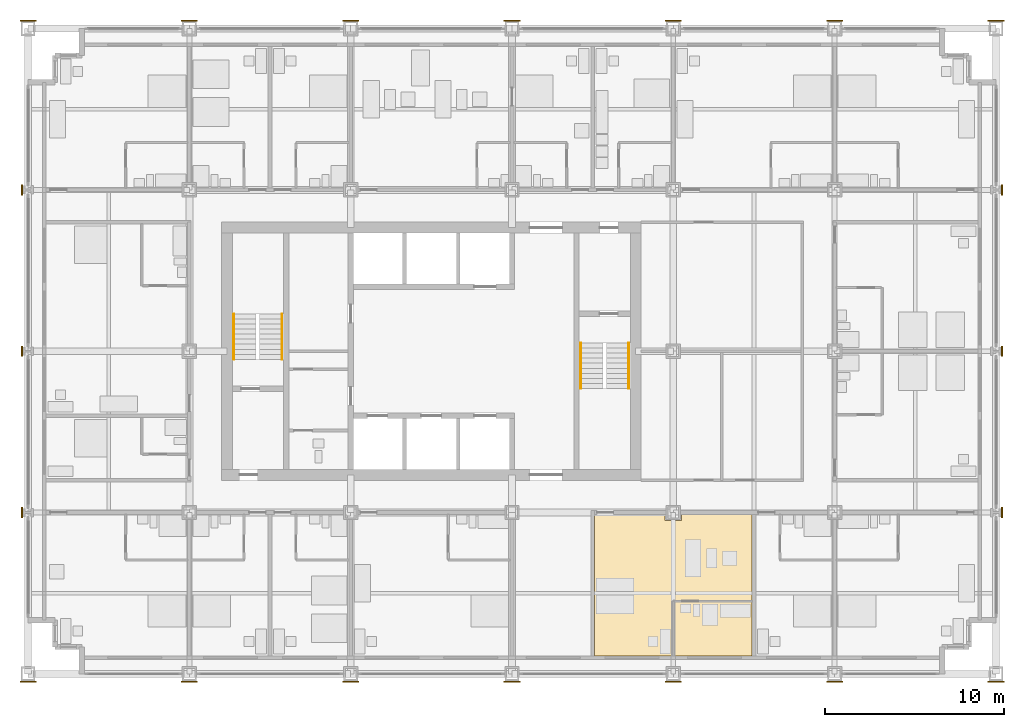
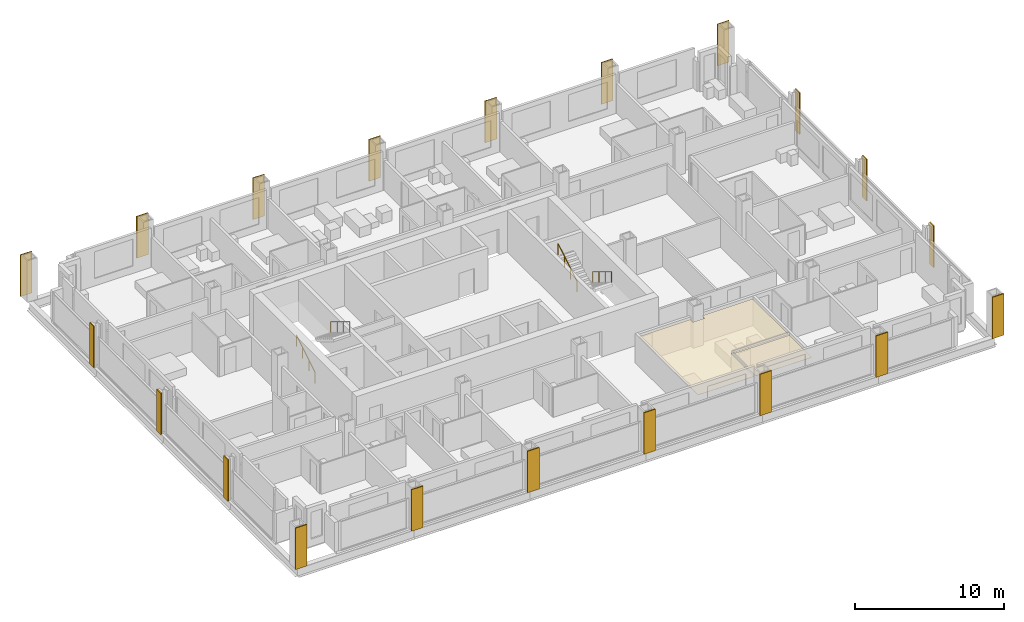
# One storey, part 16 of 18: 22 coverings, 4 railings.
"""IFC4 building model written with IfcOpenShell, lengths in metres."""

from ifc_helpers import new_model, si_unit, direction, frame, origin, origin_2d, place, context, subcontext, project, spatial, polyline, rectangle, circle, outline, extrude, material, layer, layer_set, type_object, element, save


model = new_model("IFC4")

# Units and contexts
model_context = context("Model", 3, precision=1e-05, world=origin(), true_north=direction((0.0, 1.0)))
body_context = subcontext(model_context, "Body", "Model", "MODEL_VIEW")
ifc_project = project(units=[si_unit("LENGTHUNIT", "METRE"), si_unit("AREAUNIT", "SQUARE_METRE"), si_unit("VOLUMEUNIT", "CUBIC_METRE"), si_unit("PLANEANGLEUNIT", "RADIAN"), si_unit("MASSUNIT", "GRAM", prefix="KILO")], contexts=[model_context])

# Site, building, storey
site_placement = place(None, origin())
site = spatial("IfcSite", under=ifc_project, at=site_placement, CompositionType="ELEMENT")
building_placement = place(site_placement, origin())
building = spatial("IfcBuilding", under=site, at=building_placement, Name="Loomwork Tower", CompositionType="ELEMENT")
storey_placement = place(building_placement, frame((0.0, 0.0, 38.199951171875)))
storey = spatial("IfcBuildingStorey", under=building, at=storey_placement, Name="L08", CompositionType="ELEMENT", Elevation=38.199951171875)

# Railings
ifc_material_1 = material(Name="Stainless steel handrail", Category="steel")
railing_type = type_object("IfcRailingType", Name="Handrail 900", PredefinedType="HANDRAIL", material=ifc_material_1)
railing_1_placement = place(storey_placement, frame((11.485107421875, 17.550048828125, 0.170166015625)))
element("IfcRailing", 1, at=railing_1_placement, inside=storey, type_object=railing_type, Name="Stair A handrail flight 1 L08", PredefinedType="HANDRAIL", context=body_context, shape_type="SweptSolid", body=[
    extrude(circle(Radius=0.02392578125, at=origin_2d()), frame((0.0, 0.0, 0.8759765625), z_axis=(0.0, 0.854821627497, 0.518921945155), x_axis=(-1.0, 0.0, 0.0)), (0.0, 0.0, 1.0), 2.947998046875),
    extrude(circle(Radius=0.02099609375, at=origin_2d()), origin(), (0.0, 0.0, 1.0), 0.851806640625),
    extrude(circle(Radius=0.02099609375, at=origin_2d()), frame((0.0, 0.840087890625, 0.510009765625)), (0.0, 0.0, 1.0), 0.851806640625),
    extrude(circle(Radius=0.02099609375, at=origin_2d()), frame((0.0, 1.679931640625, 1.019775390625)), (0.0, 0.0, 1.0), 0.851806640625),
    extrude(circle(Radius=0.02099609375, at=origin_2d()), frame((0.0, 2.52001953125, 1.52978515625)), (0.0, 0.0, 1.0), 0.851806640625),
])
railing_2_placement = place(storey_placement, frame((14.1650390625, 20.070068359375, 1.8701171875)))
element("IfcRailing", 2, at=railing_2_placement, inside=storey, type_object=railing_type, Name="Stair A handrail flight 2 L08", PredefinedType="HANDRAIL", context=body_context, shape_type="SweptSolid", body=[
    extrude(circle(Radius=0.02392578125, at=origin_2d()), frame((0.0, 0.0, 0.8759765625), z_axis=(0.0, -0.85478489116, 0.518982456201), x_axis=(1.0, 0.0, 0.0)), (0.0, 0.0, 1.0), 2.9482421875),
    extrude(circle(Radius=0.02099609375, at=origin_2d()), origin(), (0.0, 0.0, 1.0), 0.851806640625),
    extrude(circle(Radius=0.02099609375, at=origin_2d()), frame((0.0, -0.840087890625, 0.510009765625)), (0.0, 0.0, 1.0), 0.851806640625),
    extrude(circle(Radius=0.02099609375, at=origin_2d()), frame((0.0, -1.679931640625, 1.02001953125)), (0.0, 0.0, 1.0), 0.851806640625),
    extrude(circle(Radius=0.02099609375, at=origin_2d()), frame((0.0, -2.52001953125, 1.530029296875)), (0.0, 0.0, 1.0), 0.851806640625),
])
railing_3_placement = place(storey_placement, frame((33.514892578125, 18.449951171875, 0.170166015625)))
element("IfcRailing", 3, at=railing_3_placement, inside=storey, type_object=railing_type, Name="Stair B handrail flight 1 L08", PredefinedType="HANDRAIL", context=body_context, shape_type="SweptSolid", body=[
    extrude(circle(Radius=0.02392578125, at=origin_2d()), frame((0.0, 0.0, 0.8759765625), z_axis=(0.0, -0.854821627497, 0.518921945155), x_axis=(1.0, 0.0, 0.0)), (0.0, 0.0, 1.0), 2.947998046875),
    extrude(circle(Radius=0.02099609375, at=origin_2d()), origin(), (0.0, 0.0, 1.0), 0.851806640625),
    extrude(circle(Radius=0.02099609375, at=origin_2d()), frame((0.0, -0.840087890625, 0.510009765625)), (0.0, 0.0, 1.0), 0.851806640625),
    extrude(circle(Radius=0.02099609375, at=origin_2d()), frame((0.0, -1.679931640625, 1.019775390625)), (0.0, 0.0, 1.0), 0.851806640625),
    extrude(circle(Radius=0.02099609375, at=origin_2d()), frame((0.0, -2.52001953125, 1.52978515625)), (0.0, 0.0, 1.0), 0.851806640625),
])
railing_4_placement = place(storey_placement, frame((30.8349609375, 15.929931640625, 1.8701171875)))
element("IfcRailing", 4, at=railing_4_placement, inside=storey, type_object=railing_type, Name="Stair B handrail flight 2 L08", PredefinedType="HANDRAIL", context=body_context, shape_type="SweptSolid", body=[
    extrude(circle(Radius=0.02392578125, at=origin_2d()), frame((0.0, 0.0, 0.8759765625), z_axis=(0.0, 0.85478489116, 0.518982456201), x_axis=(-1.0, 0.0, 0.0)), (0.0, 0.0, 1.0), 2.9482421875),
    extrude(circle(Radius=0.02099609375, at=origin_2d()), origin(), (0.0, 0.0, 1.0), 0.851806640625),
    extrude(circle(Radius=0.02099609375, at=origin_2d()), frame((0.0, 0.840087890625, 0.510009765625)), (0.0, 0.0, 1.0), 0.851806640625),
    extrude(circle(Radius=0.02099609375, at=origin_2d()), frame((0.0, 1.679931640625, 1.02001953125)), (0.0, 0.0, 1.0), 0.851806640625),
    extrude(circle(Radius=0.02099609375, at=origin_2d()), frame((0.0, 2.52001953125, 1.530029296875)), (0.0, 0.0, 1.0), 0.851806640625),
])

# Coverings
ifc_material_2 = material(Name="Limestone", Category="masonry")
ifc_layer_1 = layer(ifc_material_2, 0.080078125)
ifc_layer_set_1 = layer_set([ifc_layer_1], Name="Limestone pier facing 80")
covering_type_1 = type_object("IfcCoveringType", Name="Limestone pier facing 80", PredefinedType="CLADDING", material=ifc_layer_set_1)
covering_1_placement = place(storey_placement, frame((0.0, -0.43994140625, 0.0), z_axis=(0.0, 0.0, 1.0), x_axis=(1.0, 0.0, 0.0)))
element("IfcCovering", 5, at=covering_1_placement, inside=storey, type_object=covering_type_1, Name="Pier facing D/2 L08", PredefinedType="CLADDING", context=body_context, shape_type="SweptSolid", body=[
    extrude(rectangle(XDim=0.89990234375, YDim=0.080078125, at=origin_2d()), origin(), (0.0, 0.0, 1.0), 3.39990234375),
])
for number, where, z_axis, x_axis, name in (
    (6, (-0.339599609375, 9.0, 0.0), (0.0, 0.0, 1.0), (1.0, 0.0, 0.0), "Pier facing E/2 L08"),
    (7, (-0.339599609375, 18.0, 0.0), (0.0, 0.0, 1.0), (1.0, 0.0, 0.0), "Pier facing F/2 L08"),
    (8, (-0.339599609375, 27.0, 0.0), (0.0, 0.0, 1.0), (1.0, 0.0, 0.0), "Pier facing G/2 L08"),
):
    element("IfcCovering", number, at=place(storey_placement, frame(where, z_axis=z_axis, x_axis=x_axis)), inside=storey, type_object=covering_type_1, Name=name, PredefinedType="CLADDING", context=body_context, shape_type="SweptSolid", body=[
        extrude(rectangle(XDim=0.080078125, YDim=0.577392578125, at=origin_2d()), origin(), (0.0, 0.0, 1.0), 3.39990234375),
    ])
for number, where, z_axis, x_axis, name in (
    (9, (0.0, 36.43994140625, 0.0), (0.0, 0.0, 1.0), (1.0, 0.0, 0.0), "Pier facing H/2 L08"),
    (10, (9.0, -0.43994140625, 0.0), (0.0, 0.0, 1.0), (1.0, 0.0, 0.0), "Pier facing D/3 L08"),
    (11, (9.0, 36.43994140625, 0.0), (0.0, 0.0, 1.0), (1.0, 0.0, 0.0), "Pier facing H/3 L08"),
    (12, (18.0, -0.43994140625, 0.0), (0.0, 0.0, 1.0), (1.0, 0.0, 0.0), "Pier facing D/4 L08"),
    (13, (18.0, 36.43994140625, 0.0), (0.0, 0.0, 1.0), (1.0, 0.0, 0.0), "Pier facing H/4 L08"),
    (14, (27.0, -0.43994140625, 0.0), (0.0, 0.0, 1.0), (1.0, 0.0, 0.0), "Pier facing D/5 L08"),
    (15, (27.0, 36.43994140625, 0.0), (0.0, 0.0, 1.0), (1.0, 0.0, 0.0), "Pier facing H/5 L08"),
    (16, (36.0, -0.43994140625, 0.0), (0.0, 0.0, 1.0), (1.0, 0.0, 0.0), "Pier facing D/6 L08"),
    (17, (36.0, 36.43994140625, 0.0), (0.0, 0.0, 1.0), (1.0, 0.0, 0.0), "Pier facing H/6 L08"),
    (18, (45.0, -0.43994140625, 0.0), (0.0, 0.0, 1.0), (1.0, 0.0, 0.0), "Pier facing D/7 L08"),
    (19, (45.0, 36.43994140625, 0.0), (0.0, 0.0, 1.0), (1.0, 0.0, 0.0), "Pier facing H/7 L08"),
    (20, (54.0, -0.43994140625, 0.0), (0.0, 0.0, 1.0), (1.0, 0.0, 0.0), "Pier facing D/8 L08"),
):
    element("IfcCovering", number, at=place(storey_placement, frame(where, z_axis=z_axis, x_axis=x_axis)), inside=storey, type_object=covering_type_1, Name=name, PredefinedType="CLADDING", context=body_context, shape_type="SweptSolid", body=[
        extrude(rectangle(XDim=0.89990234375, YDim=0.080078125, at=origin_2d()), origin(), (0.0, 0.0, 1.0), 3.39990234375),
    ])
for number, where, z_axis, x_axis, name in (
    (21, (54.339599609375, 9.0, 0.0), (0.0, 0.0, 1.0), (1.0, 0.0, 0.0), "Pier facing E/8 L08"),
    (22, (54.339599609375, 18.0, 0.0), (0.0, 0.0, 1.0), (1.0, 0.0, 0.0), "Pier facing F/8 L08"),
    (23, (54.339599609375, 27.0, 0.0), (0.0, 0.0, 1.0), (1.0, 0.0, 0.0), "Pier facing G/8 L08"),
):
    element("IfcCovering", number, at=place(storey_placement, frame(where, z_axis=z_axis, x_axis=x_axis)), inside=storey, type_object=covering_type_1, Name=name, PredefinedType="CLADDING", context=body_context, shape_type="SweptSolid", body=[
        extrude(rectangle(XDim=0.080078125, YDim=0.577392578125, at=origin_2d()), origin(), (0.0, 0.0, 1.0), 3.39990234375),
    ])
covering_2_placement = place(storey_placement, frame((54.0, 36.43994140625, 0.0), z_axis=(0.0, 0.0, 1.0), x_axis=(1.0, 0.0, 0.0)))
element("IfcCovering", 24, at=covering_2_placement, inside=storey, type_object=covering_type_1, Name="Pier facing H/8 L08", PredefinedType="CLADDING", context=body_context, shape_type="SweptSolid", body=[
    extrude(rectangle(XDim=0.89990234375, YDim=0.080078125, at=origin_2d()), origin(), (0.0, 0.0, 1.0), 3.39990234375),
])
ifc_material_3 = material(Name="Mineral fibre acoustic tile on suspension grid")
ifc_layer_2 = layer(ifc_material_3, 0.02490234375)
ifc_layer_set_2 = layer_set([ifc_layer_2], Name="Suspended acoustic ceiling")
covering_type_2 = type_object("IfcCoveringType", Name="Suspended acoustic ceiling", PredefinedType="CEILING", material=ifc_layer_set_2)
covering_3_placement = place(storey_placement, frame((0.0, 0.0, 2.175048828125)))
element("IfcCovering", 25, at=covering_3_placement, inside=storey, type_object=covering_type_2, Name="Ceiling Spa bathroom L08", PredefinedType="CEILING", context=body_context, shape_type="SweptSolid", body=[
    extrude(outline(polyline([(40.39990234375, 4.0), (40.39990234375, 1.0), (36.050048828125, 1.0), (36.050048828125, 4.0), (40.39990234375, 4.0)])), origin(), (0.0, 0.0, 1.0), 0.02490234375),
])
covering_4_placement = place(storey_placement, frame((0.0, 0.0, 2.175048828125)))
element("IfcCovering", 26, at=covering_4_placement, inside=storey, type_object=covering_type_2, Name="Ceiling Spa suite L08", PredefinedType="CEILING", context=body_context, shape_type="SweptSolid", body=[
    extrude(outline(polyline([(35.550048828125, 8.89990234375), (35.550048828125, 8.550048828125), (36.449951171875, 8.550048828125), (36.449951171875, 8.89990234375), (40.39990234375, 8.89990234375), (40.39990234375, 4.10009765625), (35.949951171875, 4.10009765625), (35.949951171875, 1.0), (31.60009765625, 1.0), (31.60009765625, 8.89990234375), (35.550048828125, 8.89990234375)])), origin(), (0.0, 0.0, 1.0), 0.02490234375),
])

save(model, "model.ifc")
